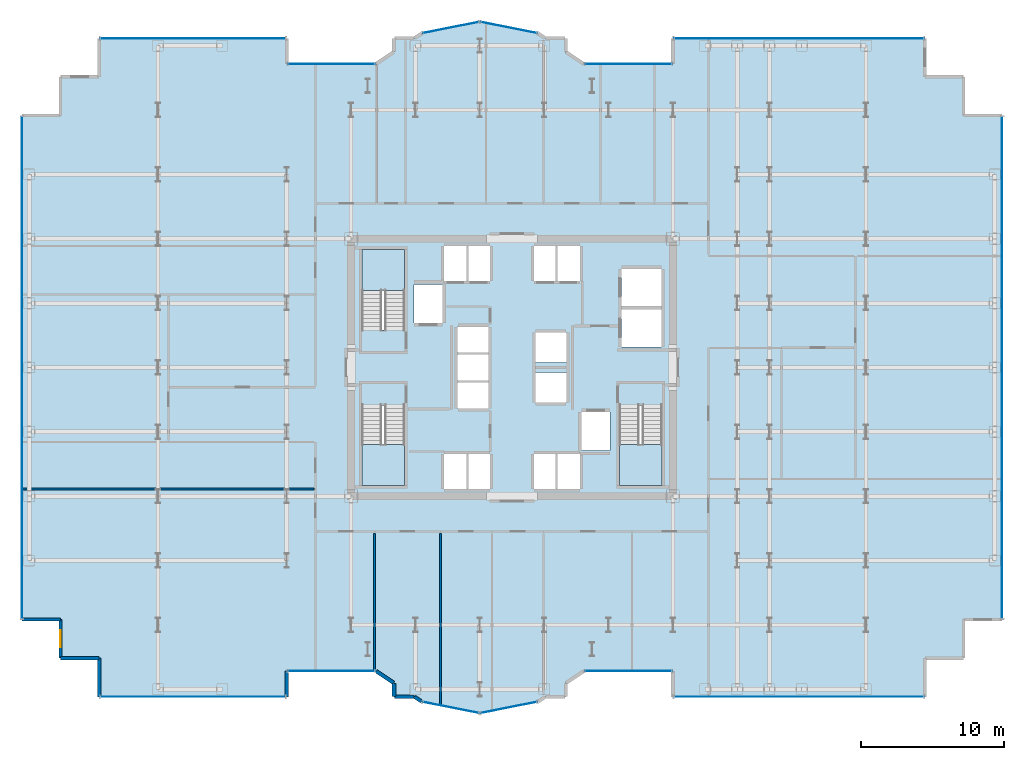
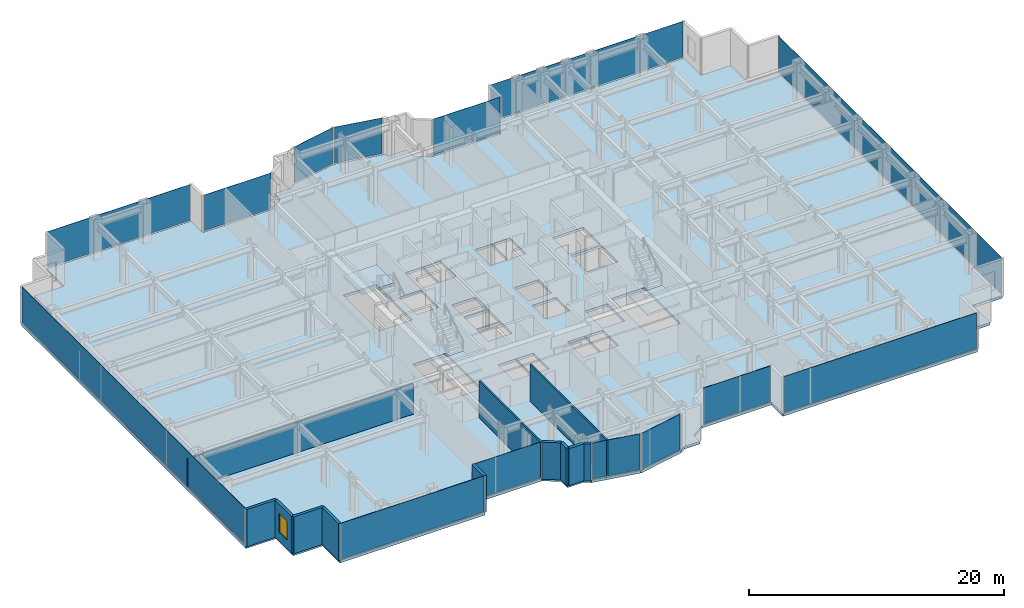
# One storey, part 19 of 26: 14 plates, 12 walls, 4 slabs, 1 window, 1 opening, 17 elements without a shape of their own.
"""IFC4 building model written with IfcOpenShell, lengths in metres."""

import ifcopenshell
import ifcopenshell.guid

model = None  # the IFC model being written
_history = None  # IfcOwnerHistory: only IFC2X3 demands one
_inside = {}  # id of a spatial element -> (the spatial element, [elements in it])
_under = {}  # id of a project, library or spatial element -> (it, [spatial elements below it])
_declared = {}  # id of a project -> (the project, [libraries it declares])
_typed = {}  # id of a type object -> (the type object, [elements of that type])
_made_of = {}  # id of a material, layer set ... -> (it, [elements and type objects made of it])


def new_model(schema):
    """Start an empty IFC model of exactly this schema.

    Asked for "IFC4X3", IfcOpenShell would pick the latest addendum, in which some entities
    have other attributes; the version numbers below select the first issue.
    IFC2X3 requires an IfcOwnerHistory on every rooted entity: one is made here for all.
    """
    global model, _history
    if schema == "IFC4X3":
        model = ifcopenshell.file(schema_version=(4, 3, 0, 0))
    else:
        model = ifcopenshell.file(schema=schema)
    _inside.clear()
    _under.clear()
    _declared.clear()
    _typed.clear()
    _made_of.clear()
    _history = None
    if model.schema == "IFC2X3":
        org = make("IfcOrganization", Name="unknown")
        user = make(
            "IfcPersonAndOrganization",
            ThePerson=make("IfcPerson", FamilyName="unknown"),
            TheOrganization=org,
        )
        app = make(
            "IfcApplication",
            ApplicationDeveloper=org,
            Version="unknown",
            ApplicationFullName="unknown",
            ApplicationIdentifier="unknown",
        )
        _history = make(
            "IfcOwnerHistory",
            OwningUser=user,
            OwningApplication=app,
            ChangeAction="ADDED",
            CreationDate=0,
        )
    return model


def make(cls, **values):
    """One entity of the class cls with the attributes given. An attribute that is None is left unset."""
    return model.create_entity(
        cls, **{name: value for name, value in values.items() if value is not None}
    )


def rooted(cls, **values):
    """An entity with a GlobalId (a new one), such as an element, a storey or a relation."""
    return make(cls, GlobalId=ifcopenshell.guid.new(), OwnerHistory=_history, **values)


def si_unit(unit_type, name, prefix=None):
    """IfcSIUnit, for example si_unit("LENGTHUNIT", "METRE", prefix="MILLI")."""
    return make("IfcSIUnit", UnitType=unit_type, Prefix=prefix, Name=name)


def assignment(units):
    """IfcUnitAssignment: the units of a project."""
    return None if units is None else make("IfcUnitAssignment", Units=units)


def point(xyz):
    """IfcCartesianPoint."""
    return None if xyz is None else make("IfcCartesianPoint", Coordinates=xyz)


def direction(xyz):
    """IfcDirection."""
    return None if xyz is None else make("IfcDirection", DirectionRatios=xyz)


def frame(location, z_axis=None, x_axis=None):
    """IfcAxis2Placement3D, a coordinate frame: its origin and axes. An axis left out is left unset."""
    return make(
        "IfcAxis2Placement3D",
        Location=point(location),
        Axis=direction(z_axis),
        RefDirection=direction(x_axis),
    )


def frame_2d(location, x_axis=None):
    """IfcAxis2Placement2D, a coordinate frame in the plane: its origin and x axis."""
    return make(
        "IfcAxis2Placement2D", Location=point(location), RefDirection=direction(x_axis)
    )


def origin():
    """The frame at (0, 0, 0) with its axes left unset."""
    return frame((0.0, 0.0, 0.0))


def origin_2d():
    """The frame at (0, 0) in the plane with its x axis left unset."""
    return frame_2d((0.0, 0.0))


def place(relative_to, where):
    """IfcLocalPlacement: puts the frame where relative to a parent placement (None: the world)."""
    return make(
        "IfcLocalPlacement", PlacementRelTo=relative_to, RelativePlacement=where
    )


def context(
    kind, dimensions, precision=None, world=None, true_north=None, identifier=None
):
    """IfcGeometricRepresentationContext, for example the 3D "Model" context."""
    return make(
        "IfcGeometricRepresentationContext",
        ContextIdentifier=identifier,
        ContextType=kind,
        CoordinateSpaceDimension=dimensions,
        Precision=precision,
        WorldCoordinateSystem=world,
        TrueNorth=true_north,
    )


def subcontext(parent, identifier, kind, view, scale=None):
    """IfcGeometricRepresentationSubContext, for example "Body" below "Model"."""
    return make(
        "IfcGeometricRepresentationSubContext",
        ContextIdentifier=identifier,
        ContextType=kind,
        ParentContext=parent,
        TargetScale=scale,
        TargetView=view,
    )


def project(units=None, contexts=None):
    """IfcProject with its units and contexts."""
    return rooted(
        "IfcProject",
        Name="project",
        RepresentationContexts=contexts,
        UnitsInContext=assignment(units),
    )


def spatial(cls, under=None, at=None, **own):
    """A site, building, storey or space (cls), placed at a placement, below another one or the project."""
    s = rooted(cls, ObjectPlacement=at, **own)
    if under is not None:
        _under.setdefault(under.id(), (under, []))[1].append(s)
    return s


def polyline(points):
    """IfcPolyline through the points."""
    return make("IfcPolyline", Points=[point(p) for p in points])


def profile(cls, at=None, kind="AREA", **sizes):
    """A parametric profile (cls). Its sizes go by their IFC names, for example OverallWidth=200.0."""
    return make(cls, ProfileType=kind, Position=at, **sizes)


def rectangle(**sizes):
    """IfcRectangleProfileDef."""
    return profile("IfcRectangleProfileDef", **sizes)


def outline(outer, holes=None, kind="AREA"):
    """IfcArbitraryClosedProfileDef: a profile drawn as a closed curve; with holes, ...WithVoids."""
    if holes is None:
        return make("IfcArbitraryClosedProfileDef", ProfileType=kind, OuterCurve=outer)
    return make(
        "IfcArbitraryProfileDefWithVoids",
        ProfileType=kind,
        OuterCurve=outer,
        InnerCurves=holes,
    )


def extrude(swept, where, along, depth):
    """IfcExtrudedAreaSolid: the profile swept, set in the frame where, extruded along a direction by depth."""
    return make(
        "IfcExtrudedAreaSolid",
        SweptArea=swept,
        Position=where,
        ExtrudedDirection=direction(along),
        Depth=depth,
    )


def shape(context_of_items, identifier, shape_type, items):
    """IfcShapeRepresentation: the items that make up one representation, for example the "Body"."""
    return make(
        "IfcShapeRepresentation",
        ContextOfItems=context_of_items,
        RepresentationIdentifier=identifier,
        RepresentationType=shape_type,
        Items=items,
    )


def source(mapping_origin, context_of_items, identifier, shape_type, items):
    """IfcRepresentationMap: a shape defined once, which mapped items show again and again."""
    return make(
        "IfcRepresentationMap",
        MappingOrigin=mapping_origin,
        MappedRepresentation=shape(context_of_items, identifier, shape_type, items),
    )


def transform(
    local_origin,
    x_axis=None,
    y_axis=None,
    z_axis=None,
    scale=None,
    scale2=None,
    scale3=None,
    uniform=True,
):
    """IfcCartesianTransformationOperator3D, or its non-uniform kind. x_axis, y_axis, z_axis: its Axis1, 2, 3."""
    if uniform:
        return make(
            "IfcCartesianTransformationOperator3D",
            Axis1=direction(x_axis),
            Axis2=direction(y_axis),
            LocalOrigin=point(local_origin),
            Scale=scale,
            Axis3=direction(z_axis),
        )
    return make(
        "IfcCartesianTransformationOperator3DnonUniform",
        Axis1=direction(x_axis),
        Axis2=direction(y_axis),
        LocalOrigin=point(local_origin),
        Scale=scale,
        Axis3=direction(z_axis),
        Scale2=scale2,
        Scale3=scale3,
    )


def mapped(mapping_source, mapping_target):
    """IfcMappedItem: shows the shape of a source again, moved by a transform."""
    return make(
        "IfcMappedItem", MappingSource=mapping_source, MappingTarget=mapping_target
    )


def material(Name=None, Category=None):
    """IfcMaterial."""
    return make("IfcMaterial", Name=Name, Category=Category)


def layer(
    of_material, thickness, ventilated=None, Name=None, Category=None, Priority=None
):
    """IfcMaterialLayer: one layer of a wall or slab, of a material (None: an air gap)."""
    return make(
        "IfcMaterialLayer",
        Material=of_material,
        LayerThickness=thickness,
        IsVentilated=ventilated,
        Name=Name,
        Category=Category,
        Priority=Priority,
    )


def layer_set(layers, Name=None):
    """IfcMaterialLayerSet."""
    return make("IfcMaterialLayerSet", MaterialLayers=layers, LayerSetName=Name)


def made_of(thing, what):
    """Note that an element or type object is made of a material, layer set ...; save() writes the relation."""
    if what is not None:
        _made_of.setdefault(what.id(), (what, []))[1].append(thing)
    return thing


def type_object(cls, material=None, **own):
    """A type object (cls), such as IfcWallType, which elements share."""
    return made_of(rooted(cls, **own), material)


def element(
    cls,
    number,
    at=None,
    inside=None,
    cuts=None,
    type_object=None,
    material=None,
    context=None,
    identifier="Body",
    shape_type=None,
    held_by="IfcProductDefinitionShape",
    body=None,
    shapes=None,
    **own,
):
    """One element of the class cls, such as IfcWall. Its Tag is "e" and its number.

    at: its placement. inside: the storey or other place that contains it. cuts: it is an
    opening in that element (IfcRelVoidsElement). A single representation is given by context,
    identifier, shape_type and body (its items); several are given by shapes. held_by: the class
    of the entity that holds the representations. save() writes the other relations.
    """
    e = rooted(cls, Tag="e%d" % number, ObjectPlacement=at, **own)
    if body is not None:
        shapes = [shape(context, identifier, shape_type, body)]
    if shapes is not None:
        e.Representation = make(held_by, Representations=shapes)
    if inside is not None:
        _inside.setdefault(inside.id(), (inside, []))[1].append(e)
    if cuts is not None:
        rooted(
            "IfcRelVoidsElement", RelatingBuildingElement=cuts, RelatedOpeningElement=e
        )
    if type_object is not None:
        _typed.setdefault(type_object.id(), (type_object, []))[1].append(e)
    return made_of(e, material)


def fill(opening, filler):
    """IfcRelFillsElement: the door or window that sits in an opening."""
    return rooted(
        "IfcRelFillsElement",
        RelatingOpeningElement=opening,
        RelatedBuildingElement=filler,
    )


def aggregate(whole, parts):
    """IfcRelAggregates: a whole, such as a stair, and the parts it consists of."""
    return rooted("IfcRelAggregates", RelatingObject=whole, RelatedObjects=parts)


def save(model, path):
    """Write the relations noted so far, then the file.

    IfcRelAggregates (storeys below a building ...), IfcRelContainedInSpatialStructure (elements
    in a storey), IfcRelDefinesByType, IfcRelAssociatesMaterial and IfcRelDeclares: one each for
    every whole, place, type object, material and project.
    """
    for whole, parts in _under.values():
        aggregate(whole, parts)
    for where, things in _inside.values():
        rooted(
            "IfcRelContainedInSpatialStructure",
            RelatedElements=things,
            RelatingStructure=where,
        )
    for kind, things in _typed.values():
        rooted("IfcRelDefinesByType", RelatedObjects=things, RelatingType=kind)
    for what, things in _made_of.values():
        rooted("IfcRelAssociatesMaterial", RelatedObjects=things, RelatingMaterial=what)
    for by, libraries in _declared.values():
        rooted("IfcRelDeclares", RelatingContext=by, RelatedDefinitions=libraries)
    model.write(path)


model = new_model("IFC4")

# Units and contexts
model_context = context("Model", 3, precision=1e-05, world=origin(), true_north=direction((0.0, 1.0)))
body_context = subcontext(model_context, "Body", "Model", "MODEL_VIEW")
ifc_project = project(units=[si_unit("LENGTHUNIT", "METRE"), si_unit("AREAUNIT", "SQUARE_METRE"), si_unit("VOLUMEUNIT", "CUBIC_METRE"), si_unit("PLANEANGLEUNIT", "RADIAN"), si_unit("MASSUNIT", "GRAM", prefix="KILO")], contexts=[model_context])

# Site, building, storey
site_placement = place(None, origin())
site = spatial("IfcSite", under=ifc_project, at=site_placement, CompositionType="ELEMENT")
building_placement = place(site_placement, origin())
building = spatial("IfcBuilding", under=site, at=building_placement, Name="Nefas-Gora Pilgrimage Tower", CompositionType="ELEMENT")
storey_placement = place(building_placement, frame((0.0, 0.0, 117.39990234375)))
storey = spatial("IfcBuildingStorey", under=building, at=storey_placement, Name="L28", CompositionType="ELEMENT", Elevation=117.39990234375)

# Slab
ifc_material_1 = material(Name="Concrete C40/50", Category="concrete")
ifc_layer_1 = layer(ifc_material_1, 0.25)
ifc_layer_set_1 = layer_set([ifc_layer_1], Name="Concrete C40/50")
slab_type_1 = type_object("IfcSlabType", Name="SLB-TWR-250", PredefinedType="FLOOR", material=ifc_layer_set_1)
slab_1_placement = place(storey_placement, frame((0.0, 0.0, -0.25)))
element("IfcSlab", 1, at=slab_1_placement, inside=storey, type_object=slab_type_1, Name="L28 Structural Floor Slab", PredefinedType="FLOOR", context=body_context, shape_type="SweptSolid", body=[
    extrude(outline(polyline([(5.01806640625, -21.219970703125), (11.25, -21.219970703125), (11.25, -23.02001953125), (28.8701171875, -23.02001953125), (28.8701171875, -20.320068359375), (31.570068359375, -20.320068359375), (31.570068359375, -17.6201171875), (34.27001953125, -17.6201171875), (34.27001953125, 17.6201171875), (31.570068359375, 17.6201171875), (31.570068359375, 20.320068359375), (28.8701171875, 20.320068359375), (28.8701171875, 23.02001953125), (11.25, 23.02001953125), (11.25, 21.219970703125), (5.01806640625, 21.219970703125), (3.75, 22.0673828125), (3.75, 23.02001953125), (2.32421875, 23.02001953125), (1.807373046875, 23.365234375), (-2.25, 24.17236328125), (-6.307373046875, 23.365234375), (-6.82421875, 23.02001953125), (-8.25, 23.02001953125), (-8.25, 22.0673828125), (-9.51806640625, 21.219970703125), (-15.75, 21.219970703125), (-15.75, 23.02001953125), (-28.8701171875, 23.02001953125), (-28.8701171875, 20.320068359375), (-31.570068359375, 20.320068359375), (-31.570068359375, 17.6201171875), (-34.27001953125, 17.6201171875), (-34.27001953125, -17.6201171875), (-31.570068359375, -17.6201171875), (-31.570068359375, -20.320068359375), (-28.8701171875, -20.320068359375), (-28.8701171875, -23.02001953125), (-15.75, -23.02001953125), (-15.75, -21.219970703125), (-9.51806640625, -21.219970703125), (-8.25, -22.0673828125), (-8.25, -23.02001953125), (-6.82421875, -23.02001953125), (-6.307373046875, -23.365234375), (-2.25, -24.17236328125), (1.807373046875, -23.365234375), (2.32421875, -23.02001953125), (3.75, -23.02001953125), (3.75, -22.0673828125), (5.01806640625, -21.219970703125)]), holes=[polyline([(-10.5, 2.639892578125), (-10.5, 8.25), (-7.5, 8.25), (-7.5, 2.639892578125), (-10.5, 2.639892578125)]), polyline([(10.5, -2.639892578125), (10.5, -8.25), (7.5, -8.25), (7.5, -2.639892578125), (10.5, -2.639892578125)]), polyline([(-7.5, -2.639892578125), (-7.5, -8.25), (-10.5, -8.25), (-10.5, -2.639892578125), (-7.5, -2.639892578125)]), polyline([(-6.85009765625, 5.800048828125), (-4.85009765625, 5.800048828125), (-4.85009765625, 3.10009765625), (-6.85009765625, 3.10009765625), (-6.85009765625, 5.800048828125)]), polyline([(4.85009765625, -3.10009765625), (6.85009765625, -3.10009765625), (6.85009765625, -5.800048828125), (4.85009765625, -5.800048828125), (4.85009765625, -3.10009765625)]), polyline([(7.64990234375, 4.050048828125), (10.449951171875, 4.050048828125), (10.449951171875, 1.449951171875), (7.64990234375, 1.449951171875), (7.64990234375, 4.050048828125)]), polyline([(7.64990234375, 6.89990234375), (10.449951171875, 6.89990234375), (10.449951171875, 4.300048828125), (7.64990234375, 4.300048828125), (7.64990234375, 6.89990234375)]), polyline([(-4.75, 8.5), (-3.14990234375, 8.5), (-3.14990234375, 6.050048828125), (-4.75, 6.050048828125), (-4.75, 8.5)]), polyline([(-3.10009765625, 8.5), (-1.550048828125, 8.5), (-1.550048828125, 6.050048828125), (-3.10009765625, 6.050048828125), (-3.10009765625, 8.5)]), polyline([(1.550048828125, 8.5), (3.10009765625, 8.5), (3.10009765625, 6.050048828125), (1.550048828125, 6.050048828125), (1.550048828125, 8.5)]), polyline([(3.14990234375, 8.5), (4.75, 8.5), (4.75, 6.050048828125), (3.14990234375, 6.050048828125), (3.14990234375, 8.5)]), polyline([(-4.75, -6.050048828125), (-3.14990234375, -6.050048828125), (-3.14990234375, -8.5), (-4.75, -8.5), (-4.75, -6.050048828125)]), polyline([(-3.10009765625, -6.050048828125), (-1.550048828125, -6.050048828125), (-1.550048828125, -8.5), (-3.10009765625, -8.5), (-3.10009765625, -6.050048828125)]), polyline([(1.550048828125, -6.050048828125), (3.10009765625, -6.050048828125), (3.10009765625, -8.5), (1.550048828125, -8.5), (1.550048828125, -6.050048828125)]), polyline([(3.14990234375, -6.050048828125), (4.75, -6.050048828125), (4.75, -8.5), (3.14990234375, -8.5), (3.14990234375, -6.050048828125)]), polyline([(-3.800048828125, -1.050048828125), (-1.64990234375, -1.050048828125), (-1.64990234375, -2.85009765625), (-3.800048828125, -2.85009765625), (-3.800048828125, -1.050048828125)]), polyline([(-3.800048828125, 0.89990234375), (-1.64990234375, 0.89990234375), (-1.64990234375, -0.89990234375), (-3.800048828125, -0.89990234375), (-3.800048828125, 0.89990234375)]), polyline([(-3.800048828125, 2.85009765625), (-1.64990234375, 2.85009765625), (-1.64990234375, 1.050048828125), (-3.800048828125, 1.050048828125), (-3.800048828125, 2.85009765625)]), polyline([(1.64990234375, -0.35009765625), (3.800048828125, -0.35009765625), (3.800048828125, -2.449951171875), (1.64990234375, -2.449951171875), (1.64990234375, -0.35009765625)]), polyline([(1.64990234375, 2.449951171875), (3.800048828125, 2.449951171875), (3.800048828125, 0.35009765625), (1.64990234375, 0.35009765625), (1.64990234375, 2.449951171875)])]), origin(), (0.0, 0.0, 1.0), 0.25),
])

# Stair, slab
ifc_material_2 = material(Name="Concrete C45/55", Category="concrete")
stair_type = type_object("IfcStairType", Name="STR-1400-R1727", PredefinedType="HALF_TURN_STAIR", material=ifc_material_2)
stair_1_placement = place(storey_placement, origin())
stair_1 = element("IfcStair", 2, at=stair_1_placement, inside=storey, type_object=stair_type, Name="L28 Pressurised Tower Exit Stair ST-01", PredefinedType="HALF_TURN_STAIR")
ifc_layer_2 = layer(ifc_material_1, 0.199951171875)
ifc_layer_set_2 = layer_set([ifc_layer_2], Name="Concrete C40/50")
slab_type_2 = type_object("IfcSlabType", Name="STR-LAND-200", PredefinedType="LANDING", material=ifc_layer_set_2)
slab_2_placement = place(storey_placement, frame((0.0, 0.0, 1.7001953125)))
slab_2 = element("IfcSlab", 3, at=slab_2_placement, type_object=slab_type_2, Name="ST-01 landing 1", PredefinedType="LANDING", context=body_context, shape_type="SweptSolid", body=[
    extrude(outline(polyline([(-7.5, 5.39990234375), (-7.5, 8.25), (-10.5, 8.25), (-10.5, 5.39990234375), (-7.5, 5.39990234375)])), origin(), (0.0, 0.0, 1.0), 0.199951171875),
])
aggregate(stair_1, [slab_2])

stair_2_placement = place(storey_placement, origin())
stair_2 = element("IfcStair", 4, at=stair_2_placement, inside=storey, type_object=stair_type, Name="L28 Pressurised Tower Exit Stair ST-02", PredefinedType="HALF_TURN_STAIR")
slab_3_placement = place(storey_placement, frame((0.0, 0.0, 1.7001953125)))
slab_3 = element("IfcSlab", 5, at=slab_3_placement, type_object=slab_type_2, Name="ST-02 landing 1", PredefinedType="LANDING", context=body_context, shape_type="SweptSolid", body=[
    extrude(outline(polyline([(7.5, -5.39990234375), (7.5, -8.25), (10.5, -8.25), (10.5, -5.39990234375), (7.5, -5.39990234375)])), origin(), (0.0, 0.0, 1.0), 0.199951171875),
])
aggregate(stair_2, [slab_3])

stair_3_placement = place(storey_placement, origin())
stair_3 = element("IfcStair", 6, at=stair_3_placement, inside=storey, type_object=stair_type, Name="L28 Pressurised Tower Exit Stair ST-03", PredefinedType="HALF_TURN_STAIR")
slab_4_placement = place(storey_placement, frame((0.0, 0.0, 1.7001953125)))
slab_4 = element("IfcSlab", 7, at=slab_4_placement, type_object=slab_type_2, Name="ST-03 landing 1", PredefinedType="LANDING", context=body_context, shape_type="SweptSolid", body=[
    extrude(outline(polyline([(-10.5, -5.39990234375), (-10.5, -8.25), (-7.5, -8.25), (-7.5, -5.39990234375), (-10.5, -5.39990234375)])), origin(), (0.0, 0.0, 1.0), 0.199951171875),
])
aggregate(stair_3, [slab_4])

# Curtain wall, plate
ifc_material_3 = material(Name="Dark ceramic-fritted solar-control aluminium-glass curtain wall", Category="aluminium")
ifc_layer_3 = layer(ifc_material_3, 0.219970703125)
ifc_layer_set_3 = layer_set([ifc_layer_3], Name="Dark ceramic-fritted solar-control aluminium-glass curtain wall")
curtain_wall_type_1 = type_object("IfcCurtainWallType", Name="CW-SYS-5", PredefinedType="NOTDEFINED", material=ifc_layer_set_3)
curtain_wall_1_placement = place(storey_placement, origin())
curtain_wall_1 = element("IfcCurtainWall", 8, at=curtain_wall_1_placement, inside=storey, type_object=curtain_wall_type_1, Name="L28 Unitised Curtain Wall CW5", PredefinedType="NOTDEFINED")
ifc_material_4 = material(Name="Dark ceramic-printed low-e insulated glass", Category="glass")
ifc_layer_4 = layer(ifc_material_4, 0.028076171875)
ifc_layer_set_4 = layer_set([ifc_layer_4], Name="Dark ceramic-printed low-e insulated glass")
plate_type_1 = type_object("IfcPlateType", Name="CWP-PNL-5", PredefinedType="CURTAIN_PANEL", material=ifc_layer_set_4)
shared_shape_1 = source(origin(), body_context, "Body", "SweptSolid", [
    extrude(rectangle(XDim=6.052001953125, YDim=0.028076171875, at=origin_2d()), origin(), (0.0, 0.0, 1.0), 3.43994140625),
])
plate_1_placement = place(storey_placement, frame((8.134033203125, -21.219970703125, 0.10009765625), z_axis=(0.0, 0.0, 1.0), x_axis=(1.0, 0.0, 0.0)))
plate_1 = element("IfcPlate", 9, at=plate_1_placement, type_object=plate_type_1, Name="CW5 Ceramic-Fritted Glazing Panel 1", PredefinedType="CURTAIN_PANEL", context=body_context, shape_type="MappedRepresentation", body=[
    mapped(shared_shape_1, transform((0.0, 0.0, 0.0), x_axis=(1.0, 0.0, 0.0), y_axis=(0.0, 1.0, 0.0), z_axis=(0.0, 0.0, 1.0), scale=1.0)),
])
aggregate(curtain_wall_1, [plate_1])

curtain_wall_2_placement = place(storey_placement, origin())
curtain_wall_2 = element("IfcCurtainWall", 10, at=curtain_wall_2_placement, inside=storey, type_object=curtain_wall_type_1, Name="L28 Unitised Curtain Wall CW5", PredefinedType="NOTDEFINED")
plate_2_placement = place(storey_placement, frame((8.134033203125, 21.219970703125, 0.10009765625), z_axis=(0.0, 0.0, 1.0), x_axis=(-1.0, 0.0, 0.0)))
plate_2 = element("IfcPlate", 11, at=plate_2_placement, type_object=plate_type_1, Name="CW5 Ceramic-Fritted Glazing Panel 1", PredefinedType="CURTAIN_PANEL", context=body_context, shape_type="MappedRepresentation", body=[
    mapped(shared_shape_1, transform((0.0, 0.0, 0.0), x_axis=(1.0, 0.0, 0.0), y_axis=(0.0, 1.0, 0.0), z_axis=(0.0, 0.0, 1.0), scale=1.0)),
])
aggregate(curtain_wall_2, [plate_2])

curtain_wall_3_placement = place(storey_placement, origin())
curtain_wall_3 = element("IfcCurtainWall", 12, at=curtain_wall_3_placement, inside=storey, type_object=curtain_wall_type_1, Name="L28 Unitised Curtain Wall CW5", PredefinedType="NOTDEFINED")
plate_3_placement = place(storey_placement, frame((-12.634033203125, 21.219970703125, 0.10009765625), z_axis=(0.0, 0.0, 1.0), x_axis=(-1.0, 0.0, 0.0)))
plate_3 = element("IfcPlate", 13, at=plate_3_placement, type_object=plate_type_1, Name="CW5 Ceramic-Fritted Glazing Panel 1", PredefinedType="CURTAIN_PANEL", context=body_context, shape_type="MappedRepresentation", body=[
    mapped(shared_shape_1, transform((0.0, 0.0, 0.0), x_axis=(1.0, 0.0, 0.0), y_axis=(0.0, 1.0, 0.0), z_axis=(0.0, 0.0, 1.0), scale=1.0)),
])
aggregate(curtain_wall_3, [plate_3])

curtain_wall_4_placement = place(storey_placement, origin())
curtain_wall_4 = element("IfcCurtainWall", 14, at=curtain_wall_4_placement, inside=storey, type_object=curtain_wall_type_1, Name="L28 Unitised Curtain Wall CW5", PredefinedType="NOTDEFINED")
plate_4_placement = place(storey_placement, frame((-12.634033203125, -21.219970703125, 0.10009765625), z_axis=(0.0, 0.0, 1.0), x_axis=(1.0, 0.0, 0.0)))
plate_4 = element("IfcPlate", 15, at=plate_4_placement, type_object=plate_type_1, Name="CW5 Ceramic-Fritted Glazing Panel 1", PredefinedType="CURTAIN_PANEL", context=body_context, shape_type="MappedRepresentation", body=[
    mapped(shared_shape_1, transform((0.0, 0.0, 0.0), x_axis=(1.0, 0.0, 0.0), y_axis=(0.0, 1.0, 0.0), z_axis=(0.0, 0.0, 1.0), scale=1.0)),
])
aggregate(curtain_wall_4, [plate_4])

ifc_layer_5 = layer(ifc_material_3, 0.219970703125)
ifc_layer_set_5 = layer_set([ifc_layer_5], Name="Dark ceramic-fritted solar-control aluminium-glass curtain wall")
curtain_wall_type_2 = type_object("IfcCurtainWallType", Name="CW-SYS-2", PredefinedType="NOTDEFINED", material=ifc_layer_set_5)
curtain_wall_5_placement = place(storey_placement, origin())
curtain_wall_5 = element("IfcCurtainWall", 16, at=curtain_wall_5_placement, inside=storey, type_object=curtain_wall_type_2, Name="L28 Unitised Curtain Wall CW2", PredefinedType="NOTDEFINED")
ifc_layer_6 = layer(ifc_material_4, 0.031982421875)
ifc_layer_set_6 = layer_set([ifc_layer_6], Name="Dark ceramic-printed low-e insulated glass")
plate_type_2 = type_object("IfcPlateType", Name="CWP-PNL-2", PredefinedType="CURTAIN_PANEL", material=ifc_layer_set_6)
shared_shape_2 = source(origin(), body_context, "Body", "SweptSolid", [
    extrude(rectangle(XDim=17.43994140625, YDim=0.031982421875, at=origin_2d()), origin(), (0.0, 0.0, 1.0), 3.43994140625),
])
plate_5_placement = place(storey_placement, frame((20.06005859375, -23.02001953125, 0.10009765625), z_axis=(0.0, 0.0, 1.0), x_axis=(1.0, 0.0, 0.0)))
plate_5 = element("IfcPlate", 17, at=plate_5_placement, type_object=plate_type_2, Name="CW2 Ceramic-Fritted Glazing Panel 1", PredefinedType="CURTAIN_PANEL", context=body_context, shape_type="MappedRepresentation", body=[
    mapped(shared_shape_2, transform((0.0, 0.0, 0.0), x_axis=(1.0, 0.0, 0.0), y_axis=(0.0, 1.0, 0.0), z_axis=(0.0, 0.0, 1.0), scale=1.0)),
])
aggregate(curtain_wall_5, [plate_5])

curtain_wall_6_placement = place(storey_placement, origin())
curtain_wall_6 = element("IfcCurtainWall", 18, at=curtain_wall_6_placement, inside=storey, type_object=curtain_wall_type_2, Name="L28 Unitised Curtain Wall CW2", PredefinedType="NOTDEFINED")
plate_6_placement = place(storey_placement, frame((20.06005859375, 23.02001953125, 0.10009765625), z_axis=(0.0, 0.0, 1.0), x_axis=(-1.0, 0.0, 0.0)))
plate_6 = element("IfcPlate", 19, at=plate_6_placement, type_object=plate_type_2, Name="CW2 Ceramic-Fritted Glazing Panel 1", PredefinedType="CURTAIN_PANEL", context=body_context, shape_type="MappedRepresentation", body=[
    mapped(shared_shape_2, transform((0.0, 0.0, 0.0), x_axis=(1.0, 0.0, 0.0), y_axis=(0.0, 1.0, 0.0), z_axis=(0.0, 0.0, 1.0), scale=1.0)),
])
aggregate(curtain_wall_6, [plate_6])

curtain_wall_7_placement = place(storey_placement, origin())
curtain_wall_7 = element("IfcCurtainWall", 20, at=curtain_wall_7_placement, inside=storey, type_object=curtain_wall_type_1, Name="L28 Unitised Curtain Wall CW5", PredefinedType="NOTDEFINED")
shared_shape_3 = source(origin(), body_context, "Body", "SweptSolid", [
    extrude(rectangle(XDim=3.956787109375, YDim=0.028076171875, at=origin_2d()), origin(), (0.0, 0.0, 1.0), 3.43994140625),
])
plate_7_placement = place(storey_placement, frame((-0.22119140625, 23.768798828125, 0.10009765625), z_axis=(0.0, 0.0, 1.0), x_axis=(-0.980782896852, 0.195102304554, 0.0)))
plate_7 = element("IfcPlate", 21, at=plate_7_placement, type_object=plate_type_1, Name="CW5 Ceramic-Fritted Glazing Panel 1", PredefinedType="CURTAIN_PANEL", context=body_context, shape_type="MappedRepresentation", body=[
    mapped(shared_shape_3, transform((0.0, 0.0, 0.0), x_axis=(1.0, 0.0, 0.0), y_axis=(0.0, 1.0, 0.0), z_axis=(0.0, 0.0, 1.0), scale=1.0)),
])
aggregate(curtain_wall_7, [plate_7])

curtain_wall_8_placement = place(storey_placement, origin())
curtain_wall_8 = element("IfcCurtainWall", 22, at=curtain_wall_8_placement, inside=storey, type_object=curtain_wall_type_1, Name="L28 Unitised Curtain Wall CW5", PredefinedType="NOTDEFINED")
plate_8_placement = place(storey_placement, frame((-4.278564453125, 23.768798828125, 0.10009765625), z_axis=(0.0, 0.0, 1.0), x_axis=(-0.980782896852, -0.195102304554, 0.0)))
plate_8 = element("IfcPlate", 23, at=plate_8_placement, type_object=plate_type_1, Name="CW5 Ceramic-Fritted Glazing Panel 1", PredefinedType="CURTAIN_PANEL", context=body_context, shape_type="MappedRepresentation", body=[
    mapped(shared_shape_3, transform((0.0, 0.0, 0.0), x_axis=(1.0, 0.0, 0.0), y_axis=(0.0, 1.0, 0.0), z_axis=(0.0, 0.0, 1.0), scale=1.0)),
])
aggregate(curtain_wall_8, [plate_8])

curtain_wall_9_placement = place(storey_placement, origin())
curtain_wall_9 = element("IfcCurtainWall", 24, at=curtain_wall_9_placement, inside=storey, type_object=curtain_wall_type_1, Name="L28 Unitised Curtain Wall CW5", PredefinedType="NOTDEFINED")
plate_9_placement = place(storey_placement, frame((-4.278564453125, -23.768798828125, 0.10009765625), z_axis=(0.0, 0.0, 1.0), x_axis=(0.980782896852, -0.195102304554, 0.0)))
plate_9 = element("IfcPlate", 25, at=plate_9_placement, type_object=plate_type_1, Name="CW5 Ceramic-Fritted Glazing Panel 1", PredefinedType="CURTAIN_PANEL", context=body_context, shape_type="MappedRepresentation", body=[
    mapped(shared_shape_3, transform((0.0, 0.0, 0.0), x_axis=(1.0, 0.0, 0.0), y_axis=(0.0, 1.0, 0.0), z_axis=(0.0, 0.0, 1.0), scale=1.0)),
])
aggregate(curtain_wall_9, [plate_9])

curtain_wall_10_placement = place(storey_placement, origin())
curtain_wall_10 = element("IfcCurtainWall", 26, at=curtain_wall_10_placement, inside=storey, type_object=curtain_wall_type_1, Name="L28 Unitised Curtain Wall CW5", PredefinedType="NOTDEFINED")
plate_10_placement = place(storey_placement, frame((-0.221435546875, -23.768798828125, 0.10009765625), z_axis=(0.0, 0.0, 1.0), x_axis=(0.980782896852, 0.195102304554, 0.0)))
plate_10 = element("IfcPlate", 27, at=plate_10_placement, type_object=plate_type_1, Name="CW5 Ceramic-Fritted Glazing Panel 1", PredefinedType="CURTAIN_PANEL", context=body_context, shape_type="MappedRepresentation", body=[
    mapped(shared_shape_3, transform((0.0, 0.0, 0.0), x_axis=(1.0, 0.0, 0.0), y_axis=(0.0, 1.0, 0.0), z_axis=(0.0, 0.0, 1.0), scale=1.0)),
])
aggregate(curtain_wall_10, [plate_10])

curtain_wall_11_placement = place(storey_placement, origin())
curtain_wall_11 = element("IfcCurtainWall", 28, at=curtain_wall_11_placement, inside=storey, type_object=curtain_wall_type_2, Name="L28 Unitised Curtain Wall CW2", PredefinedType="NOTDEFINED")
shared_shape_4 = source(origin(), body_context, "Body", "SweptSolid", [
    extrude(rectangle(XDim=12.93994140625, YDim=0.031982421875, at=origin_2d()), origin(), (0.0, 0.0, 1.0), 3.43994140625),
])
plate_11_placement = place(storey_placement, frame((-22.31005859375, 23.02001953125, 0.10009765625), z_axis=(0.0, 0.0, 1.0), x_axis=(-1.0, 0.0, 0.0)))
plate_11 = element("IfcPlate", 29, at=plate_11_placement, type_object=plate_type_2, Name="CW2 Ceramic-Fritted Glazing Panel 1", PredefinedType="CURTAIN_PANEL", context=body_context, shape_type="MappedRepresentation", body=[
    mapped(shared_shape_4, transform((0.0, 0.0, 0.0), x_axis=(1.0, 0.0, 0.0), y_axis=(0.0, 1.0, 0.0), z_axis=(0.0, 0.0, 1.0), scale=1.0)),
])
aggregate(curtain_wall_11, [plate_11])

curtain_wall_12_placement = place(storey_placement, origin())
curtain_wall_12 = element("IfcCurtainWall", 30, at=curtain_wall_12_placement, inside=storey, type_object=curtain_wall_type_2, Name="L28 Unitised Curtain Wall CW2", PredefinedType="NOTDEFINED")
plate_12_placement = place(storey_placement, frame((-22.31005859375, -23.02001953125, 0.10009765625), z_axis=(0.0, 0.0, 1.0), x_axis=(1.0, 0.0, 0.0)))
plate_12 = element("IfcPlate", 31, at=plate_12_placement, type_object=plate_type_2, Name="CW2 Ceramic-Fritted Glazing Panel 1", PredefinedType="CURTAIN_PANEL", context=body_context, shape_type="MappedRepresentation", body=[
    mapped(shared_shape_4, transform((0.0, 0.0, 0.0), x_axis=(1.0, 0.0, 0.0), y_axis=(0.0, 1.0, 0.0), z_axis=(0.0, 0.0, 1.0), scale=1.0)),
])
aggregate(curtain_wall_12, [plate_12])

curtain_wall_13_placement = place(storey_placement, origin())
curtain_wall_13 = element("IfcCurtainWall", 32, at=curtain_wall_13_placement, inside=storey, type_object=curtain_wall_type_2, Name="L28 Unitised Curtain Wall CW2", PredefinedType="NOTDEFINED")
shared_shape_5 = source(origin(), body_context, "Body", "SweptSolid", [
    extrude(rectangle(XDim=35.06005859375, YDim=0.031982421875, at=origin_2d()), origin(), (0.0, 0.0, 1.0), 3.43994140625),
])
plate_13_placement = place(storey_placement, frame((34.27001953125, 0.0, 0.10009765625), z_axis=(0.0, 0.0, 1.0), x_axis=(0.0, 1.0, 0.0)))
plate_13 = element("IfcPlate", 33, at=plate_13_placement, type_object=plate_type_2, Name="CW2 Ceramic-Fritted Glazing Panel 1", PredefinedType="CURTAIN_PANEL", context=body_context, shape_type="MappedRepresentation", body=[
    mapped(shared_shape_5, transform((0.0, 0.0, 0.0), x_axis=(1.0, 0.0, 0.0), y_axis=(0.0, 1.0, 0.0), z_axis=(0.0, 0.0, 1.0), scale=1.0)),
])
aggregate(curtain_wall_13, [plate_13])

curtain_wall_14_placement = place(storey_placement, origin())
curtain_wall_14 = element("IfcCurtainWall", 34, at=curtain_wall_14_placement, inside=storey, type_object=curtain_wall_type_2, Name="L28 Unitised Curtain Wall CW2", PredefinedType="NOTDEFINED")
plate_14_placement = place(storey_placement, frame((-34.27001953125, 0.0, 0.10009765625), z_axis=(0.0, 0.0, 1.0), x_axis=(0.0, -1.0, 0.0)))
plate_14 = element("IfcPlate", 35, at=plate_14_placement, type_object=plate_type_2, Name="CW2 Ceramic-Fritted Glazing Panel 1", PredefinedType="CURTAIN_PANEL", context=body_context, shape_type="MappedRepresentation", body=[
    mapped(shared_shape_5, transform((0.0, 0.0, 0.0), x_axis=(1.0, 0.0, 0.0), y_axis=(0.0, 1.0, 0.0), z_axis=(0.0, 0.0, 1.0), scale=1.0)),
])
aggregate(curtain_wall_14, [plate_14])

# Walls
ifc_material_5 = material(Name="Precast concrete C40/50", Category="concrete")
ifc_layer_7 = layer(ifc_material_5, 0.260009765625)
ifc_layer_set_7 = layer_set([ifc_layer_7], Name="Precast concrete C40/50")
wall_type_1 = type_object("IfcWallType", Name="EW-PORTAL-260", PredefinedType="SOLIDWALL", material=ifc_layer_set_7)
shared_shape_6 = source(origin(), body_context, "Body", "SweptSolid", [
    extrude(rectangle(XDim=1.800048828125, YDim=0.260009765625, at=frame_2d((0.89990234375, 0.0))), origin(), (0.0, 0.0, 1.0), 3.550048828125),
])
wall_1_placement = place(storey_placement, frame((-15.75, -23.02001953125, 0.0), z_axis=(0.0, 0.0, 1.0), x_axis=(0.0, 1.0, 0.0)))
element("IfcWall", 36, at=wall_1_placement, inside=storey, type_object=wall_type_1, Name="L28 Lobe Shoulder Precast Spandrel Pier 28", PredefinedType="SOLIDWALL", context=body_context, shape_type="MappedRepresentation", body=[
    mapped(shared_shape_6, transform((0.0, 0.0, 0.0), x_axis=(1.0, 0.0, 0.0), y_axis=(0.0, 1.0, 0.0), z_axis=(0.0, 0.0, 1.0), scale=1.0)),
])
ifc_material_6 = material(Name="Precast concrete C45/55", Category="concrete")
ifc_layer_8 = layer(ifc_material_6, 0.239990234375)
ifc_layer_set_8 = layer_set([ifc_layer_8], Name="Precast concrete C45/55")
wall_type_2 = type_object("IfcWallType", Name="EW-SERR-240", PredefinedType="SHEAR", material=ifc_layer_set_8)
shared_shape_7 = source(origin(), body_context, "Body", "SweptSolid", [
    extrude(rectangle(XDim=2.699951171875, YDim=0.239990234375, at=frame_2d((1.35009765625, 0.0))), origin(), (0.0, 0.0, 1.0), 3.550048828125),
])
wall_2_placement = place(storey_placement, frame((-34.27001953125, -17.6201171875, 0.0), z_axis=(0.0, 0.0, 1.0), x_axis=(1.0, 0.0, 0.0)))
element("IfcWall", 37, at=wall_2_placement, inside=storey, type_object=wall_type_2, Name="L28 Serrated Corner Shear Pier Wall 24", PredefinedType="SHEAR", context=body_context, shape_type="MappedRepresentation", body=[
    mapped(shared_shape_7, transform((0.0, 0.0, 0.0), x_axis=(1.0, 0.0, 0.0), y_axis=(0.0, 1.0, 0.0), z_axis=(0.0, 0.0, 1.0), scale=1.0)),
])

# Wall, opening, window
wall_3_placement = place(storey_placement, frame((-31.570068359375, -17.6201171875, 0.0), z_axis=(0.0, 0.0, 1.0), x_axis=(0.0, -1.0, 0.0)))
wall_3 = element("IfcWall", 38, at=wall_3_placement, inside=storey, type_object=wall_type_2, Name="L28 Serrated Corner Shear Pier Wall 25", PredefinedType="SHEAR", context=body_context, shape_type="MappedRepresentation", body=[
    mapped(shared_shape_7, transform((0.0, 0.0, 0.0), x_axis=(1.0, 0.0, 0.0), y_axis=(0.0, 1.0, 0.0), z_axis=(0.0, 0.0, 1.0), scale=1.0)),
])
opening_placement = place(wall_3_placement, frame((0.75, 0.0, 0.85009765625)))
opening = element("IfcOpeningElement", 39, at=opening_placement, cuts=wall_3, Name="Opening W-V1", PredefinedType="OPENING", context=body_context, shape_type="SweptSolid", body=[
    extrude(rectangle(XDim=1.199951171875, YDim=1.800048828125, at=frame_2d((0.60009765625, 0.89990234375))), frame((0.0, 0.1298828125, 0.0), z_axis=(0.0, -1.0, 0.0), x_axis=(1.0, 0.0, 0.0)), (0.0, 0.0, 1.0), 0.260009765625),
])
ifc_material_7 = material(Name="Dark ceramic-fritted operable aluminium-glass window", Category="aluminium")
window_type = type_object("IfcWindowType", Name="WIN-VENT-1200x1800", PartitioningType="SINGLE_PANEL", PredefinedType="WINDOW", material=ifc_material_7)
shared_shape_8 = source(origin(), body_context, "Body", "SweptSolid", [
    extrude(rectangle(XDim=1.199951171875, YDim=1.800048828125, at=frame_2d((0.60009765625, 0.89990234375))), frame((0.0, 0.030029296875, 0.0), z_axis=(0.0, -1.0, 0.0), x_axis=(1.0, 0.0, 0.0)), (0.0, 0.0, 1.0), 0.06005859375),
])
window_placement = place(opening_placement, origin())
window = element("IfcWindow", 40, at=window_placement, inside=storey, type_object=window_type, Name="L28 Operable Parallel-Outswing Window 25", OverallHeight=1.800048828125, OverallWidth=1.199951171875, PartitioningType="SINGLE_PANEL", PredefinedType="WINDOW", context=body_context, shape_type="MappedRepresentation", body=[
    mapped(shared_shape_8, transform((0.0, 0.0, 0.0), x_axis=(1.0, 0.0, 0.0), y_axis=(0.0, 1.0, 0.0), z_axis=(0.0, 0.0, 1.0), scale=1.0)),
])
fill(opening, window)

# Walls
for number, where, z_axis, x_axis, name in (
    (41, (-31.570068359375, -20.320068359375, 0.0), (0.0, 0.0, 1.0), (1.0, 0.0, 0.0), "L28 Serrated Corner Shear Pier Wall 26"),
    (42, (-28.8701171875, -20.320068359375, 0.0), (0.0, 0.0, 1.0), (0.0, -1.0, 0.0), "L28 Serrated Corner Shear Pier Wall 27"),
):
    element("IfcWall", number, at=place(storey_placement, frame(where, z_axis=z_axis, x_axis=x_axis)), inside=storey, type_object=wall_type_2, Name=name, PredefinedType="SHEAR", context=body_context, shape_type="MappedRepresentation", body=[
        mapped(shared_shape_7, transform((0.0, 0.0, 0.0), x_axis=(1.0, 0.0, 0.0), y_axis=(0.0, 1.0, 0.0), z_axis=(0.0, 0.0, 1.0), scale=1.0)),
    ])
shared_shape_9 = source(origin(), body_context, "Body", "SweptSolid", [
    extrude(rectangle(XDim=1.468994140625, YDim=0.260009765625, at=frame_2d((0.734375, 0.0))), origin(), (0.0, 0.0, 1.0), 3.550048828125),
])
wall_4_placement = place(storey_placement, frame((-9.49462890625, -21.235595703125, 0.0), z_axis=(0.0, 0.0, 1.0), x_axis=(0.831461760506, -0.555581983884, 0.0)))
element("IfcWall", 43, at=wall_4_placement, inside=storey, type_object=wall_type_1, Name="L28 Lobe Shoulder Precast Spandrel Pier 29", PredefinedType="SOLIDWALL", context=body_context, shape_type="MappedRepresentation", body=[
    mapped(shared_shape_9, transform((0.0, 0.0, 0.0), x_axis=(1.0, 0.0, 0.0), y_axis=(0.0, 1.0, 0.0), z_axis=(0.0, 0.0, 1.0), scale=1.0)),
])
shared_shape_10 = source(origin(), body_context, "Body", "SweptSolid", [
    extrude(rectangle(XDim=0.896728515625, YDim=0.260009765625, at=frame_2d((0.4482421875, 0.0))), origin(), (0.0, 0.0, 1.0), 3.550048828125),
])
wall_5_placement = place(storey_placement, frame((-8.25, -22.09521484375, 0.0), z_axis=(0.0, 0.0, 1.0), x_axis=(0.0, -1.0, 0.0)))
element("IfcWall", 44, at=wall_5_placement, inside=storey, type_object=wall_type_1, Name="L28 Lobe Shoulder Precast Spandrel Pier 30", PredefinedType="SOLIDWALL", context=body_context, shape_type="MappedRepresentation", body=[
    mapped(shared_shape_10, transform((0.0, 0.0, 0.0), x_axis=(1.0, 0.0, 0.0), y_axis=(0.0, 1.0, 0.0), z_axis=(0.0, 0.0, 1.0), scale=1.0)),
])
shared_shape_11 = source(origin(), body_context, "Body", "SweptSolid", [
    extrude(rectangle(XDim=1.369873046875, YDim=0.260009765625, at=frame_2d((0.68505859375, 0.0))), origin(), (0.0, 0.0, 1.0), 3.550048828125),
])
wall_6_placement = place(storey_placement, frame((-8.221923828125, -23.02001953125, 0.0), z_axis=(0.0, 0.0, 1.0), x_axis=(1.0, 0.0, 0.0)))
element("IfcWall", 45, at=wall_6_placement, inside=storey, type_object=wall_type_1, Name="L28 Lobe Shoulder Precast Spandrel Pier 31", PredefinedType="SOLIDWALL", context=body_context, shape_type="MappedRepresentation", body=[
    mapped(shared_shape_11, transform((0.0, 0.0, 0.0), x_axis=(1.0, 0.0, 0.0), y_axis=(0.0, 1.0, 0.0), z_axis=(0.0, 0.0, 1.0), scale=1.0)),
])
shared_shape_12 = source(origin(), body_context, "Body", "SweptSolid", [
    extrude(rectangle(XDim=0.5654296875, YDim=0.260009765625, at=frame_2d((0.28271484375, 0.0))), origin(), (0.0, 0.0, 1.0), 3.550048828125),
])
wall_7_placement = place(storey_placement, frame((-6.80078125, -23.03564453125, 0.0), z_axis=(0.0, 0.0, 1.0), x_axis=(0.831651492666, -0.555297933317, 0.0)))
element("IfcWall", 46, at=wall_7_placement, inside=storey, type_object=wall_type_1, Name="L28 Lobe Shoulder Precast Spandrel Pier 32", PredefinedType="SOLIDWALL", context=body_context, shape_type="MappedRepresentation", body=[
    mapped(shared_shape_12, transform((0.0, 0.0, 0.0), x_axis=(1.0, 0.0, 0.0), y_axis=(0.0, 1.0, 0.0), z_axis=(0.0, 0.0, 1.0), scale=1.0)),
])
ifc_material_8 = material(Name="Gypsum twin-stud partition")
ifc_layer_9 = layer(ifc_material_8, 0.139892578125)
ifc_layer_set_9 = layer_set([ifc_layer_9], Name="Gypsum twin-stud partition")
wall_type_3 = type_object("IfcWallType", Name="IW-UNIT-140", PredefinedType="PARTITIONING", material=ifc_layer_set_9)
shared_shape_13 = source(origin(), body_context, "Body", "SweptSolid", [
    extrude(rectangle(XDim=9.64990234375, YDim=0.139892578125, at=frame_2d((4.824951171875, 0.0))), origin(), (0.0, 0.0, 1.0), 3.53515625),
])
wall_8_placement = place(storey_placement, frame((-9.60498046875, -21.239990234375, 0.0), z_axis=(0.0, 0.0, 1.0), x_axis=(0.0, 1.0, 0.0)))
element("IfcWall", 47, at=wall_8_placement, inside=storey, type_object=wall_type_3, Name="L28 Pilgrim Contemplative Lounge Partition Wall 55", PredefinedType="PARTITIONING", context=body_context, shape_type="MappedRepresentation", body=[
    mapped(shared_shape_13, transform((0.0, 0.0, 0.0), x_axis=(1.0, 0.0, 0.0), y_axis=(0.0, 1.0, 0.0), z_axis=(0.0, 0.0, 1.0), scale=1.0)),
])
shared_shape_14 = source(origin(), body_context, "Body", "SweptSolid", [
    extrude(rectangle(XDim=20.429931640625, YDim=0.139892578125, at=frame_2d((10.21484375, 0.0))), origin(), (0.0, 0.0, 1.0), 2.875),
])
wall_9_placement = place(storey_placement, frame((-34.2900390625, -8.5048828125, 0.0), z_axis=(0.0, 0.0, 1.0), x_axis=(1.0, 0.0, 0.0)))
element("IfcWall", 48, at=wall_9_placement, inside=storey, type_object=wall_type_3, Name="L28 Pilgrim Devotional Prayer Gallery Partition Wall 24", PredefinedType="PARTITIONING", context=body_context, shape_type="MappedRepresentation", body=[
    mapped(shared_shape_14, transform((0.0, 0.0, 0.0), x_axis=(1.0, 0.0, 0.0), y_axis=(0.0, 1.0, 0.0), z_axis=(0.0, 0.0, 1.0), scale=1.0)),
])
shared_shape_15 = source(origin(), body_context, "Body", "SweptSolid", [
    extrude(rectangle(XDim=12.056640625, YDim=0.139892578125, at=frame_2d((6.0283203125, 0.0))), origin(), (0.0, 0.0, 1.0), 3.53515625),
])
wall_10_placement = place(storey_placement, frame((-5.0048828125, -23.646728515625, 0.0), z_axis=(0.0, 0.0, 1.0), x_axis=(0.0, 1.0, 0.0)))
element("IfcWall", 49, at=wall_10_placement, inside=storey, type_object=wall_type_3, Name="L28 Pilgrim Contemplative Lounge Partition Wall 57", PredefinedType="PARTITIONING", context=body_context, shape_type="MappedRepresentation", body=[
    mapped(shared_shape_15, transform((0.0, 0.0, 0.0), x_axis=(1.0, 0.0, 0.0), y_axis=(0.0, 1.0, 0.0), z_axis=(0.0, 0.0, 1.0), scale=1.0)),
])

save(model, "model.ifc")
